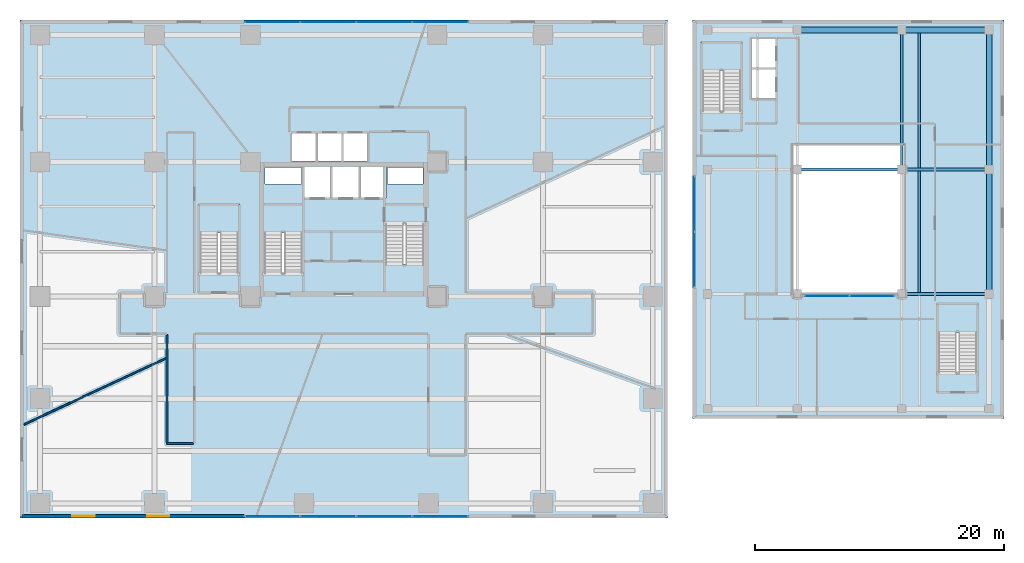
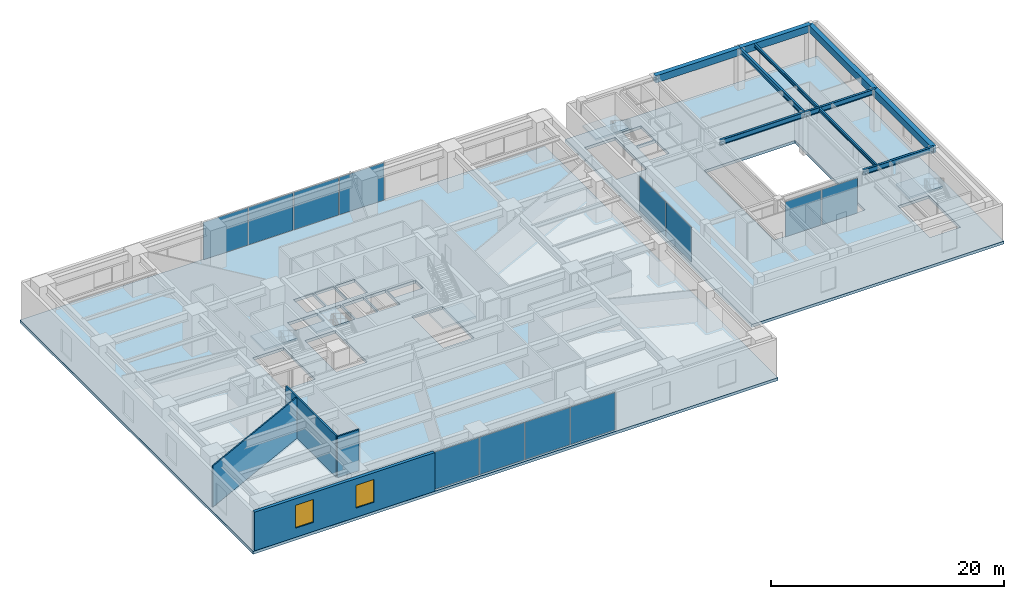
# One storey, part 16 of 25: 12 plates, 10 beams, 7 slabs, 4 walls, 2 windows, 2 openings, 9 elements without a shape of their own.
"""IFC4 building model written with IfcOpenShell, lengths in metres."""

from ifc_helpers import new_model, si_unit, direction, frame, frame_2d, origin, origin_2d, place, context, subcontext, project, spatial, polyline, rectangle, i_section, outline, extrude, source, transform, mapped, material, layer, layer_set, material_profile, profile_set, type_object, type_shapes, element, fill, aggregate, save


model = new_model("IFC4")

# Units and contexts
model_context = context("Model", 3, precision=1e-05, world=origin(), true_north=direction((0.0, 1.0)))
body_context = subcontext(model_context, "Body", "Model", "MODEL_VIEW")
ifc_project = project(units=[si_unit("LENGTHUNIT", "METRE"), si_unit("AREAUNIT", "SQUARE_METRE"), si_unit("VOLUMEUNIT", "CUBIC_METRE"), si_unit("PLANEANGLEUNIT", "RADIAN"), si_unit("MASSUNIT", "GRAM", prefix="KILO")], contexts=[model_context])

# Site, building, storey
site_placement = place(None, origin())
site = spatial("IfcSite", under=ifc_project, at=site_placement, CompositionType="ELEMENT")
building_placement = place(site_placement, origin())
building = spatial("IfcBuilding", under=site, at=building_placement, Name="Talar Marvaseh", CompositionType="ELEMENT")
storey_placement = place(building_placement, frame((0.0, 0.0, 5.199951171875)))
storey = spatial("IfcBuildingStorey", under=building, at=storey_placement, Name="L01", CompositionType="ELEMENT", Elevation=5.199951171875)

# Beams
ifc_material_1 = material(Name="Concrete C40/50", Category="concrete")
ifc_material_profile_1 = material_profile(ifc_material_1, rectangle(XDim=0.449951171875, YDim=0.75, at=origin_2d()), Name="RC450x750")
ifc_profile_set_1 = profile_set([ifc_material_profile_1], Name="Concrete C40/50")
beam_type_1 = type_object("IfcBeamType", Name="Market Concrete Edge Beam RC450x750", PredefinedType="SPANDREL", material=ifc_profile_set_1)
beam_1_placement = place(storey_placement, frame((62.39990234375, 47.199951171875, 3.925048828125), z_axis=(1.0, 0.0, 0.0), x_axis=(0.0, 1.0, 0.0)))
element("IfcBeam", 1, at=beam_1_placement, inside=storey, type_object=beam_type_1, Name="L01 Market Concrete Edge Beam RC450x750", PredefinedType="SPANDREL", context=body_context, shape_type="SweptSolid", body=[
    extrude(rectangle(XDim=0.449951171875, YDim=0.75, at=origin_2d()), origin(), (0.0, 0.0, 1.0), 8.400146484375),
])
beam_2_placement = place(storey_placement, frame((70.800048828125, 47.199951171875, 3.925048828125), z_axis=(1.0, 0.0, 0.0), x_axis=(0.0, 1.0, 0.0)))
element("IfcBeam", 2, at=beam_2_placement, inside=storey, type_object=beam_type_1, Name="L01 Market Concrete Edge Beam RC450x750", PredefinedType="SPANDREL", context=body_context, shape_type="SweptSolid", body=[
    extrude(rectangle(XDim=0.449951171875, YDim=0.75, at=origin_2d()), origin(), (0.0, 0.0, 1.0), 7.0),
])
beam_3_placement = place(storey_placement, frame((77.800048828125, 26.0, 3.925048828125), z_axis=(0.0, 1.0, 0.0), x_axis=(-1.0, 0.0, 0.0)))
element("IfcBeam", 3, at=beam_3_placement, inside=storey, type_object=beam_type_1, Name="L01 Market Concrete Edge Beam RC450x750", PredefinedType="SPANDREL", context=body_context, shape_type="SweptSolid", body=[
    extrude(rectangle(XDim=0.449951171875, YDim=0.75, at=origin_2d()), origin(), (0.0, 0.0, 1.0), 10.0),
])
beam_4_placement = place(storey_placement, frame((77.800048828125, 36.0, 3.925048828125), z_axis=(0.0, 1.0, 0.0), x_axis=(-1.0, 0.0, 0.0)))
element("IfcBeam", 4, at=beam_4_placement, inside=storey, type_object=beam_type_1, Name="L01 Market Concrete Edge Beam RC450x750", PredefinedType="SPANDREL", context=body_context, shape_type="SweptSolid", body=[
    extrude(rectangle(XDim=0.449951171875, YDim=0.75, at=origin_2d()), origin(), (0.0, 0.0, 1.0), 11.199951171875),
])
ifc_material_2 = material(Name="Steel S355", Category="steel")
ifc_material_profile_2 = material_profile(ifc_material_2, i_section(OverallWidth=0.2119140625, OverallDepth=0.5439453125, WebThickness=0.01318359375, FlangeThickness=0.021240234375, at=origin_2d()), Name="W530x123")
ifc_profile_set_2 = profile_set([ifc_material_profile_2], Name="Steel S355")
beam_type_2 = type_object("IfcBeamType", Name="Market Hall Primary Girder W530x123", PredefinedType="BEAM", material=ifc_profile_set_2)
beam_5_placement = place(storey_placement, frame((70.800048828125, 26.0, 4.028076171875), z_axis=(1.0, 0.0, 0.0), x_axis=(0.0, 1.0, 0.0)))
element("IfcBeam", 5, at=beam_5_placement, inside=storey, type_object=beam_type_2, Name="L01 Market Hall Primary Girder W530x123", PredefinedType="BEAM", context=body_context, shape_type="SweptSolid", body=[
    extrude(i_section(OverallWidth=0.2119140625, OverallDepth=0.5439453125, WebThickness=0.01318359375, FlangeThickness=0.021240234375, at=origin_2d()), origin(), (0.0, 0.0, 1.0), 7.0),
])
beam_6_placement = place(storey_placement, frame((62.39990234375, 36.0, 4.028076171875), z_axis=(1.0, 0.0, 0.0), x_axis=(0.0, 1.0, 0.0)))
element("IfcBeam", 6, at=beam_6_placement, inside=storey, type_object=beam_type_2, Name="L01 Market Hall Primary Girder W530x123", PredefinedType="BEAM", context=body_context, shape_type="SweptSolid", body=[
    extrude(i_section(OverallWidth=0.2119140625, OverallDepth=0.5439453125, WebThickness=0.01318359375, FlangeThickness=0.021240234375, at=origin_2d()), origin(), (0.0, 0.0, 1.0), 8.400146484375),
])
beam_7_placement = place(storey_placement, frame((70.800048828125, 36.0, 4.028076171875), z_axis=(1.0, 0.0, 0.0), x_axis=(0.0, 1.0, 0.0)))
element("IfcBeam", 7, at=beam_7_placement, inside=storey, type_object=beam_type_2, Name="L01 Market Hall Primary Girder W530x123", PredefinedType="BEAM", context=body_context, shape_type="SweptSolid", body=[
    extrude(i_section(OverallWidth=0.2119140625, OverallDepth=0.5439453125, WebThickness=0.01318359375, FlangeThickness=0.021240234375, at=origin_2d()), origin(), (0.0, 0.0, 1.0), 7.0),
])
beam_8_placement = place(storey_placement, frame((70.800048828125, 36.0, 4.028076171875), z_axis=(0.0, 1.0, 0.0), x_axis=(-1.0, 0.0, 0.0)))
element("IfcBeam", 8, at=beam_8_placement, inside=storey, type_object=beam_type_2, Name="L01 Market Hall Primary Girder W530x123", PredefinedType="BEAM", context=body_context, shape_type="SweptSolid", body=[
    extrude(i_section(OverallWidth=0.2119140625, OverallDepth=0.5439453125, WebThickness=0.01318359375, FlangeThickness=0.021240234375, at=origin_2d()), origin(), (0.0, 0.0, 1.0), 11.199951171875),
])
ifc_material_profile_3 = material_profile(ifc_material_2, i_section(OverallWidth=0.172119140625, OverallDepth=0.35791015625, WebThickness=0.0078125, FlangeThickness=0.01318359375, at=origin_2d()), Name="W360x57")
ifc_profile_set_3 = profile_set([ifc_material_profile_3], Name="Steel S355")
beam_type_3 = type_object("IfcBeamType", Name="Zone 2 Secondary Floor Joist W360x57", PredefinedType="JOIST", material=ifc_profile_set_3)
beam_9_placement = place(storey_placement, frame((72.199951171875, 26.10498046875, 4.12109375), z_axis=(0.0, 1.0, 0.0), x_axis=(-1.0, 0.0, 0.0)))
element("IfcBeam", 9, at=beam_9_placement, inside=storey, type_object=beam_type_3, Name="L01 Zone 2 Secondary Floor Joist W360x57", PredefinedType="JOIST", context=body_context, shape_type="SweptSolid", body=[
    extrude(i_section(OverallWidth=0.172119140625, OverallDepth=0.35791015625, WebThickness=0.0078125, FlangeThickness=0.01318359375, at=origin_2d()), origin(), (0.0, 0.0, 1.0), 9.7900390625),
])
beam_10_placement = place(storey_placement, frame((72.199951171875, 36.10498046875, 4.12109375), z_axis=(0.0, 1.0, 0.0), x_axis=(-1.0, 0.0, 0.0)))
element("IfcBeam", 10, at=beam_10_placement, inside=storey, type_object=beam_type_3, Name="L01 Zone 2 Secondary Floor Joist W360x57", PredefinedType="JOIST", context=body_context, shape_type="SweptSolid", body=[
    extrude(i_section(OverallWidth=0.172119140625, OverallDepth=0.35791015625, WebThickness=0.0078125, FlangeThickness=0.01318359375, at=origin_2d()), origin(), (0.0, 0.0, 1.0), 10.875),
])

# Stair, slab
stair_type = type_object("IfcStairType", Name="Reinforced Concrete Half-Turn Exit Stair Type A", PredefinedType="HALF_TURN_STAIR", material=ifc_material_1)
stair_1_placement = place(storey_placement, origin())
stair_1 = element("IfcStair", 11, at=stair_1_placement, inside=storey, type_object=stair_type, Name="L01 Tower West Core Exit Stair", PredefinedType="HALF_TURN_STAIR")
ifc_layer_1 = layer(ifc_material_1, 0.199951171875)
ifc_layer_set_1 = layer_set([ifc_layer_1], Name="Concrete C40/50")
slab_type_1 = type_object("IfcSlabType", Name="Reinforced Concrete Stair Half-Landing Slab 200", PredefinedType="LANDING", material=ifc_layer_set_1)
slab_1_placement = place(storey_placement, frame((0.0, 0.0, 2.10009765625)))
slab_1 = element("IfcSlab", 12, at=slab_1_placement, type_object=slab_type_1, Name="ST-1 landing 1", PredefinedType="LANDING", context=body_context, shape_type="SweptSolid", body=[
    extrude(outline(polyline([(22.780029296875, 30.889892578125), (22.780029296875, 33.219970703125), (19.47998046875, 33.219970703125), (19.47998046875, 30.889892578125), (22.780029296875, 30.889892578125)])), origin(), (0.0, 0.0, 1.0), 0.199951171875),
])
aggregate(stair_1, [slab_1])

stair_2_placement = place(storey_placement, origin())
stair_2 = element("IfcStair", 13, at=stair_2_placement, inside=storey, type_object=stair_type, Name="L01 Tower East Core Exit Stair", PredefinedType="HALF_TURN_STAIR")
slab_2_placement = place(storey_placement, frame((0.0, 0.0, 2.10009765625)))
slab_2 = element("IfcSlab", 14, at=slab_2_placement, type_object=slab_type_1, Name="ST-2 landing 1", PredefinedType="LANDING", context=body_context, shape_type="SweptSolid", body=[
    extrude(outline(polyline([(29.219970703125, 28.409912109375), (29.219970703125, 26.080078125), (32.52001953125, 26.080078125), (32.52001953125, 28.409912109375), (29.219970703125, 28.409912109375)])), origin(), (0.0, 0.0, 1.0), 0.199951171875),
])
aggregate(stair_2, [slab_2])

stair_3_placement = place(storey_placement, origin())
stair_3 = element("IfcStair", 15, at=stair_3_placement, inside=storey, type_object=stair_type, Name="L01 Museum & Podium Auxiliary Exit Stair", PredefinedType="HALF_TURN_STAIR")
slab_3_placement = place(storey_placement, frame((0.0, 0.0, 2.10009765625)))
slab_3 = element("IfcSlab", 16, at=slab_3_placement, type_object=slab_type_1, Name="ST-3 landing 1", PredefinedType="LANDING", context=body_context, shape_type="SweptSolid", body=[
    extrude(outline(polyline([(17.6201171875, 30.889892578125), (17.6201171875, 33.219970703125), (14.320068359375, 33.219970703125), (14.320068359375, 30.889892578125), (17.6201171875, 30.889892578125)])), origin(), (0.0, 0.0, 1.0), 0.199951171875),
])
aggregate(stair_3, [slab_3])

stair_4_placement = place(storey_placement, origin())
stair_4 = element("IfcStair", 17, at=stair_4_placement, inside=storey, type_object=stair_type, Name="L01 Market Hall North-West Exit Stair", PredefinedType="HALF_TURN_STAIR")
slab_4_placement = place(storey_placement, frame((0.0, 0.0, 2.10009765625)))
slab_4 = element("IfcSlab", 18, at=slab_4_placement, type_object=slab_type_1, Name="MH-ST1 landing 1", PredefinedType="LANDING", context=body_context, shape_type="SweptSolid", body=[
    extrude(outline(polyline([(57.97998046875, 43.889892578125), (57.97998046875, 46.219970703125), (54.679931640625, 46.219970703125), (54.679931640625, 43.889892578125), (57.97998046875, 43.889892578125)])), origin(), (0.0, 0.0, 1.0), 0.199951171875),
])
aggregate(stair_4, [slab_4])

stair_5_placement = place(storey_placement, origin())
stair_5 = element("IfcStair", 19, at=stair_5_placement, inside=storey, type_object=stair_type, Name="L01 Market Hall South-East Exit Stair", PredefinedType="HALF_TURN_STAIR")
slab_5_placement = place(storey_placement, frame((0.0, 0.0, 2.10009765625)))
slab_5 = element("IfcSlab", 20, at=slab_5_placement, type_object=slab_type_1, Name="MH-ST2 landing 1", PredefinedType="LANDING", context=body_context, shape_type="SweptSolid", body=[
    extrude(outline(polyline([(76.919921875, 22.889892578125), (76.919921875, 25.219970703125), (73.6201171875, 25.219970703125), (73.6201171875, 22.889892578125), (76.919921875, 22.889892578125)])), origin(), (0.0, 0.0, 1.0), 0.199951171875),
])
aggregate(stair_5, [slab_5])

# Slabs
ifc_material_3 = material(Name="Concrete C50/60", Category="concrete")
ifc_layer_2 = layer(ifc_material_3, 0.300048828125)
ifc_layer_set_2 = layer_set([ifc_layer_2], Name="Concrete C50/60")
slab_type_2 = type_object("IfcSlabType", Name="Structural Suspended Floor Slab 300", PredefinedType="FLOOR", material=ifc_layer_set_2)
slab_6_placement = place(storey_placement, frame((0.0, 0.0, -0.300048828125)))
element("IfcSlab", 21, at=slab_6_placement, inside=storey, type_object=slab_type_2, Name="L01 Tower Station Podium Floor Slab", PredefinedType="FLOOR", context=body_context, shape_type="SweptSolid", body=[
    extrude(outline(polyline([(0.0, 8.0), (52.0, 8.0), (52.0, 48.0), (0.0, 48.0), (0.0, 8.0)]), holes=[polyline([(22.659912109375, 27.64990234375), (22.659912109375, 33.10009765625), (19.60009765625, 33.10009765625), (19.60009765625, 27.64990234375), (22.659912109375, 27.64990234375)]), polyline([(29.340087890625, 31.64990234375), (29.340087890625, 26.199951171875), (32.39990234375, 26.199951171875), (32.39990234375, 31.64990234375), (29.340087890625, 31.64990234375)]), polyline([(17.5, 27.64990234375), (17.5, 33.10009765625), (14.43994140625, 33.10009765625), (14.43994140625, 27.64990234375), (17.5, 27.64990234375)]), polyline([(22.800048828125, 33.719970703125), (24.93994140625, 33.719970703125), (24.93994140625, 36.179931640625), (22.800048828125, 36.179931640625), (22.800048828125, 33.719970703125)]), polyline([(25.080078125, 33.719970703125), (27.219970703125, 33.719970703125), (27.219970703125, 36.179931640625), (25.080078125, 36.179931640625), (25.080078125, 33.719970703125)]), polyline([(27.360107421875, 33.719970703125), (29.39990234375, 33.719970703125), (29.39990234375, 36.179931640625), (27.360107421875, 36.179931640625), (27.360107421875, 33.719970703125)]), polyline([(21.840087890625, 36.659912109375), (23.760009765625, 36.659912109375), (23.760009765625, 38.8798828125), (21.840087890625, 38.8798828125), (21.840087890625, 36.659912109375)]), polyline([(23.89990234375, 36.659912109375), (25.820068359375, 36.659912109375), (25.820068359375, 38.8798828125), (23.89990234375, 38.8798828125), (23.89990234375, 36.659912109375)]), polyline([(25.9599609375, 36.659912109375), (27.8798828125, 36.659912109375), (27.8798828125, 38.8798828125), (25.9599609375, 38.8798828125), (25.9599609375, 36.659912109375)]), polyline([(19.659912109375, 34.840087890625), (22.60009765625, 34.840087890625), (22.60009765625, 36.139892578125), (19.659912109375, 36.139892578125), (19.659912109375, 34.840087890625)]), polyline([(29.52001953125, 34.840087890625), (32.340087890625, 34.840087890625), (32.340087890625, 36.139892578125), (29.52001953125, 36.139892578125), (29.52001953125, 34.840087890625)])]), origin(), (0.0, 0.0, 1.0), 0.300048828125),
])
slab_7_placement = place(storey_placement, frame((0.0, 0.0, -0.300048828125)))
element("IfcSlab", 22, at=slab_7_placement, inside=storey, type_object=slab_type_2, Name="L01 Market Hall Bazaar Floor Slab", PredefinedType="FLOOR", context=body_context, shape_type="SweptSolid", body=[
    extrude(outline(polyline([(54.0, 16.0), (79.0, 16.0), (79.0, 48.0), (54.0, 48.0), (54.0, 16.0)]), holes=[polyline([(57.860107421875, 40.64990234375), (57.860107421875, 46.10009765625), (54.800048828125, 46.10009765625), (54.800048828125, 40.64990234375), (57.860107421875, 40.64990234375)]), polyline([(76.800048828125, 19.64990234375), (76.800048828125, 25.10009765625), (73.739990234375, 25.10009765625), (73.739990234375, 19.64990234375), (76.800048828125, 19.64990234375)]), polyline([(58.739990234375, 44.179931640625), (60.659912109375, 44.179931640625), (60.659912109375, 46.47998046875), (58.739990234375, 46.47998046875), (58.739990234375, 44.179931640625)]), polyline([(58.739990234375, 41.719970703125), (60.659912109375, 41.719970703125), (60.659912109375, 44.02001953125), (58.739990234375, 44.02001953125), (58.739990234375, 41.719970703125)]), polyline([(62.0, 26.0), (71.0, 26.0), (71.0, 38.0), (62.0, 38.0), (62.0, 26.0)])]), origin(), (0.0, 0.0, 1.0), 0.300048828125),
])

# Curtain wall, plates
ifc_material_4 = material(Name="Architectural Aluminium", Category="aluminium")
ifc_layer_3 = layer(ifc_material_4, 0.25)
ifc_layer_set_3 = layer_set([ifc_layer_3], Name="Architectural Aluminium")
curtain_wall_type_1 = type_object("IfcCurtainWallType", Name="Station Podium Monumental Iwan Curtain Wall", PredefinedType="NOTDEFINED", material=ifc_layer_set_3)
curtain_wall_1_placement = place(storey_placement, origin())
curtain_wall_1 = element("IfcCurtainWall", 23, at=curtain_wall_1_placement, inside=storey, type_object=curtain_wall_type_1, Name="L01 Station Podium Monumental Iwan Curtain Wall", PredefinedType="NOTDEFINED")
ifc_material_5 = material(Name="Laminated Low-E Solar Glass", Category="glass")
ifc_layer_4 = layer(ifc_material_5, 0.028076171875)
ifc_layer_set_4 = layer_set([ifc_layer_4], Name="Laminated Low-E Solar Glass")
plate_type = type_object("IfcPlateType", Name="Double-Glazed Low-E Vision Curtain Panel 28", PredefinedType="CURTAIN_PANEL", material=ifc_layer_set_4)
shared_shape_1 = source(origin(), body_context, "Body", "SweptSolid", [
    extrude(rectangle(XDim=4.402587890625, YDim=0.028076171875, at=origin_2d()), origin(), (0.0, 0.0, 1.0), 3.919921875),
])
plate_1_placement = place(storey_placement, frame((33.733642578125, 8.159912109375, 0.065185546875), z_axis=(0.0, 0.0, 1.0), x_axis=(-1.0, 0.0, 0.0)))
plate_1 = element("IfcPlate", 24, at=plate_1_placement, type_object=plate_type, Name="CW-POD panel 1.1", PredefinedType="CURTAIN_PANEL", context=body_context, shape_type="MappedRepresentation", body=[
    mapped(shared_shape_1, transform((0.0, 0.0, 0.0), x_axis=(1.0, 0.0, 0.0), y_axis=(0.0, 1.0, 0.0), z_axis=(0.0, 0.0, 1.0), scale=1.0)),
])
plate_2_placement = place(storey_placement, frame((20.266357421875, 8.159912109375, 0.065185546875), z_axis=(0.0, 0.0, 1.0), x_axis=(-1.0, 0.0, 0.0)))
plate_2 = element("IfcPlate", 25, at=plate_2_placement, type_object=plate_type, Name="CW-POD panel 4.1", PredefinedType="CURTAIN_PANEL", context=body_context, shape_type="MappedRepresentation", body=[
    mapped(shared_shape_1, transform((0.0, 0.0, 0.0), x_axis=(1.0, 0.0, 0.0), y_axis=(0.0, 1.0, 0.0), z_axis=(0.0, 0.0, 1.0), scale=1.0)),
])

curtain_wall_2_placement = place(storey_placement, origin())
curtain_wall_2 = element("IfcCurtainWall", 26, at=curtain_wall_2_placement, inside=storey, type_object=curtain_wall_type_1, Name="L01 Station Podium Monumental Iwan Curtain Wall", PredefinedType="NOTDEFINED")
plate_3_placement = place(storey_placement, frame((20.266357421875, 47.840087890625, 0.065185546875), z_axis=(0.0, 0.0, 1.0), x_axis=(1.0, 0.0, 0.0)))
plate_3 = element("IfcPlate", 27, at=plate_3_placement, type_object=plate_type, Name="CW-POD panel 1.1", PredefinedType="CURTAIN_PANEL", context=body_context, shape_type="MappedRepresentation", body=[
    mapped(shared_shape_1, transform((0.0, 0.0, 0.0), x_axis=(1.0, 0.0, 0.0), y_axis=(0.0, 1.0, 0.0), z_axis=(0.0, 0.0, 1.0), scale=1.0)),
])
plate_4_placement = place(storey_placement, frame((33.733642578125, 47.840087890625, 0.065185546875), z_axis=(0.0, 0.0, 1.0), x_axis=(1.0, 0.0, 0.0)))
plate_4 = element("IfcPlate", 28, at=plate_4_placement, type_object=plate_type, Name="CW-POD panel 4.1", PredefinedType="CURTAIN_PANEL", context=body_context, shape_type="MappedRepresentation", body=[
    mapped(shared_shape_1, transform((0.0, 0.0, 0.0), x_axis=(1.0, 0.0, 0.0), y_axis=(0.0, 1.0, 0.0), z_axis=(0.0, 0.0, 1.0), scale=1.0)),
])

# Plate
shared_shape_2 = source(origin(), body_context, "Body", "SweptSolid", [
    extrude(rectangle(XDim=4.43505859375, YDim=0.028076171875, at=origin_2d()), origin(), (0.0, 0.0, 1.0), 3.919921875),
])
plate_5_placement = place(storey_placement, frame((29.25, 8.159912109375, 0.065185546875), z_axis=(0.0, 0.0, 1.0), x_axis=(-1.0, 0.0, 0.0)))
plate_5 = element("IfcPlate", 29, at=plate_5_placement, type_object=plate_type, Name="CW-POD panel 2.1", PredefinedType="CURTAIN_PANEL", context=body_context, shape_type="MappedRepresentation", body=[
    mapped(shared_shape_2, transform((0.0, 0.0, 0.0), x_axis=(1.0, 0.0, 0.0), y_axis=(0.0, 1.0, 0.0), z_axis=(0.0, 0.0, 1.0), scale=1.0)),
])

plate_6_placement = place(storey_placement, frame((24.75, 8.159912109375, 0.065185546875), z_axis=(0.0, 0.0, 1.0), x_axis=(-1.0, 0.0, 0.0)))
plate_6 = element("IfcPlate", 30, at=plate_6_placement, type_object=plate_type, Name="CW-POD panel 3.1", PredefinedType="CURTAIN_PANEL", context=body_context, shape_type="MappedRepresentation", body=[
    mapped(shared_shape_2, transform((0.0, 0.0, 0.0), x_axis=(1.0, 0.0, 0.0), y_axis=(0.0, 1.0, 0.0), z_axis=(0.0, 0.0, 1.0), scale=1.0)),
])

aggregate(curtain_wall_1, [plate_1, plate_5, plate_6, plate_2])

plate_7_placement = place(storey_placement, frame((24.75, 47.840087890625, 0.065185546875), z_axis=(0.0, 0.0, 1.0), x_axis=(1.0, 0.0, 0.0)))
plate_7 = element("IfcPlate", 31, at=plate_7_placement, type_object=plate_type, Name="CW-POD panel 2.1", PredefinedType="CURTAIN_PANEL", context=body_context, shape_type="MappedRepresentation", body=[
    mapped(shared_shape_2, transform((0.0, 0.0, 0.0), x_axis=(1.0, 0.0, 0.0), y_axis=(0.0, 1.0, 0.0), z_axis=(0.0, 0.0, 1.0), scale=1.0)),
])

plate_8_placement = place(storey_placement, frame((29.25, 47.840087890625, 0.065185546875), z_axis=(0.0, 0.0, 1.0), x_axis=(1.0, 0.0, 0.0)))
plate_8 = element("IfcPlate", 32, at=plate_8_placement, type_object=plate_type, Name="CW-POD panel 3.1", PredefinedType="CURTAIN_PANEL", context=body_context, shape_type="MappedRepresentation", body=[
    mapped(shared_shape_2, transform((0.0, 0.0, 0.0), x_axis=(1.0, 0.0, 0.0), y_axis=(0.0, 1.0, 0.0), z_axis=(0.0, 0.0, 1.0), scale=1.0)),
])

aggregate(curtain_wall_2, [plate_3, plate_7, plate_8, plate_4])

# Curtain wall, plates
ifc_layer_5 = layer(ifc_material_4, 0.169921875)
ifc_layer_set_5 = layer_set([ifc_layer_5], Name="Architectural Aluminium")
curtain_wall_type_2 = type_object("IfcCurtainWallType", Name="Market Hall Clerestory and Courtyard Curtain Wall", PredefinedType="NOTDEFINED", material=ifc_layer_set_5)
curtain_wall_3_placement = place(storey_placement, origin())
curtain_wall_3 = element("IfcCurtainWall", 33, at=curtain_wall_3_placement, inside=storey, type_object=curtain_wall_type_2, Name="L01 Market Hall Clerestory and Courtyard Curtain Wall", PredefinedType="NOTDEFINED")
shared_shape_3 = source(origin(), body_context, "Body", "SweptSolid", [
    extrude(rectangle(XDim=4.402587890625, YDim=0.028076171875, at=origin_2d()), origin(), (0.0, 0.0, 1.0), 3.669921875),
])
plate_9_placement = place(storey_placement, frame((54.14990234375, 28.766357421875, 0.065185546875), z_axis=(0.0, 0.0, 1.0), x_axis=(0.0, 1.0, 0.0)))
plate_9 = element("IfcPlate", 34, at=plate_9_placement, type_object=plate_type, Name="CW-MKT panel 1.1", PredefinedType="CURTAIN_PANEL", context=body_context, shape_type="MappedRepresentation", body=[
    mapped(shared_shape_3, transform((0.0, 0.0, 0.0), x_axis=(1.0, 0.0, 0.0), y_axis=(0.0, 1.0, 0.0), z_axis=(0.0, 0.0, 1.0), scale=1.0)),
])
plate_10_placement = place(storey_placement, frame((54.14990234375, 33.233642578125, 0.065185546875), z_axis=(0.0, 0.0, 1.0), x_axis=(0.0, 1.0, 0.0)))
plate_10 = element("IfcPlate", 35, at=plate_10_placement, type_object=plate_type, Name="CW-MKT panel 2.1", PredefinedType="CURTAIN_PANEL", context=body_context, shape_type="MappedRepresentation", body=[
    mapped(shared_shape_3, transform((0.0, 0.0, 0.0), x_axis=(1.0, 0.0, 0.0), y_axis=(0.0, 1.0, 0.0), z_axis=(0.0, 0.0, 1.0), scale=1.0)),
])
aggregate(curtain_wall_3, [plate_9, plate_10])

curtain_wall_4_placement = place(storey_placement, origin())
curtain_wall_4 = element("IfcCurtainWall", 36, at=curtain_wall_4_placement, inside=storey, type_object=curtain_wall_type_2, Name="L01 Market Hall Clerestory and Courtyard Curtain Wall", PredefinedType="NOTDEFINED")
shared_shape_4 = source(origin(), body_context, "Body", "SweptSolid", [
    extrude(rectangle(XDim=3.552490234375, YDim=0.028076171875, at=origin_2d()), origin(), (0.0, 0.0, 1.0), 3.669921875),
])
type_shapes(plate_type, [shared_shape_1, shared_shape_2, shared_shape_3, shared_shape_4])
plate_11_placement = place(storey_placement, frame((64.791259765625, 25.85009765625, 0.065185546875), z_axis=(0.0, 0.0, 1.0), x_axis=(1.0, 0.0, 0.0)))
plate_11 = element("IfcPlate", 37, at=plate_11_placement, type_object=plate_type, Name="CW-MKT panel 1.1", PredefinedType="CURTAIN_PANEL", context=body_context, shape_type="MappedRepresentation", body=[
    mapped(shared_shape_4, transform((0.0, 0.0, 0.0), x_axis=(1.0, 0.0, 0.0), y_axis=(0.0, 1.0, 0.0), z_axis=(0.0, 0.0, 1.0), scale=1.0)),
])
plate_12_placement = place(storey_placement, frame((68.40869140625, 25.85009765625, 0.065185546875), z_axis=(0.0, 0.0, 1.0), x_axis=(1.0, 0.0, 0.0)))
plate_12 = element("IfcPlate", 38, at=plate_12_placement, type_object=plate_type, Name="CW-MKT panel 2.1", PredefinedType="CURTAIN_PANEL", context=body_context, shape_type="MappedRepresentation", body=[
    mapped(shared_shape_4, transform((0.0, 0.0, 0.0), x_axis=(1.0, 0.0, 0.0), y_axis=(0.0, 1.0, 0.0), z_axis=(0.0, 0.0, 1.0), scale=1.0)),
])
aggregate(curtain_wall_4, [plate_11, plate_12])

# Wall, openings, windows
ifc_material_6 = material(Name="Precast concrete C45/55", Category="concrete")
ifc_layer_6 = layer(ifc_material_6, 0.31005859375)
ifc_layer_set_6 = layer_set([ifc_layer_6], Name="Precast concrete C45/55")
wall_type_1 = type_object("IfcWallType", Name="Architectural Precast Limestone Podium Facade Wall 310", PredefinedType="SOLIDWALL", material=ifc_layer_set_6)
wall_1_placement = place(storey_placement, frame((18.0, 8.159912109375, 0.0), z_axis=(0.0, 0.0, 1.0), x_axis=(-1.0, 0.0, 0.0)))
wall_1 = element("IfcWall", 39, at=wall_1_placement, inside=storey, type_object=wall_type_1, Name="L01 Podium South-West Facade Wall", PredefinedType="SOLIDWALL", context=body_context, shape_type="SweptSolid", body=[
    extrude(rectangle(XDim=17.840087890625, YDim=0.31005859375, at=frame_2d((8.919921875, 0.0))), origin(), (0.0, 0.0, 1.0), 4.050048828125),
])
opening_1_placement = place(wall_1_placement, frame((6.0, 0.0, 0.949951171875)))
opening_1 = element("IfcOpeningElement", 40, at=opening_1_placement, cuts=wall_1, Name="Opening WN-POD18", PredefinedType="OPENING", context=body_context, shape_type="SweptSolid", body=[
    extrude(rectangle(XDim=1.800048828125, YDim=2.39990234375, at=frame_2d((0.89990234375, 1.199951171875))), frame((0.0, 0.1650390625, 0.0), z_axis=(0.0, -1.0, 0.0), x_axis=(1.0, 0.0, 0.0)), (0.0, 0.0, 1.0), 0.330078125),
])
opening_2_placement = place(wall_1_placement, frame((12.0, 0.0, 0.949951171875)))
opening_2 = element("IfcOpeningElement", 41, at=opening_2_placement, cuts=wall_1, Name="Opening WN-POD18", PredefinedType="OPENING", context=body_context, shape_type="SweptSolid", body=[
    extrude(rectangle(XDim=1.800048828125, YDim=2.39990234375, at=frame_2d((0.89990234375, 1.199951171875))), frame((0.0, 0.1650390625, 0.0), z_axis=(0.0, -1.0, 0.0), x_axis=(1.0, 0.0, 0.0)), (0.0, 0.0, 1.0), 0.330078125),
])
window_type = type_object("IfcWindowType", Name="Podium Recessed Punched Solar Window 1800x2400", PartitioningType="SINGLE_PANEL", PredefinedType="WINDOW", material=ifc_material_5)
shared_shape_5 = source(origin(), body_context, "Body", "SweptSolid", [
    extrude(rectangle(XDim=1.800048828125, YDim=2.39990234375, at=frame_2d((0.89990234375, 1.199951171875))), frame((0.0, 0.030029296875, 0.0), z_axis=(0.0, -1.0, 0.0), x_axis=(1.0, 0.0, 0.0)), (0.0, 0.0, 1.0), 0.06005859375),
])
type_shapes(window_type, [shared_shape_5])
window_1_placement = place(opening_1_placement, origin())
window_1 = element("IfcWindow", 42, at=window_1_placement, inside=storey, type_object=window_type, Name="L01 Podium Solar Window", OverallHeight=2.39990234375, OverallWidth=1.800048828125, PartitioningType="SINGLE_PANEL", PredefinedType="WINDOW", context=body_context, shape_type="MappedRepresentation", body=[
    mapped(shared_shape_5, transform((0.0, 0.0, 0.0), x_axis=(1.0, 0.0, 0.0), y_axis=(0.0, 1.0, 0.0), z_axis=(0.0, 0.0, 1.0), scale=1.0)),
])
fill(opening_1, window_1)
window_2_placement = place(opening_2_placement, origin())
window_2 = element("IfcWindow", 43, at=window_2_placement, inside=storey, type_object=window_type, Name="L01 Podium Solar Window", OverallHeight=2.39990234375, OverallWidth=1.800048828125, PartitioningType="SINGLE_PANEL", PredefinedType="WINDOW", context=body_context, shape_type="MappedRepresentation", body=[
    mapped(shared_shape_5, transform((0.0, 0.0, 0.0), x_axis=(1.0, 0.0, 0.0), y_axis=(0.0, 1.0, 0.0), z_axis=(0.0, 0.0, 1.0), scale=1.0)),
])
fill(opening_2, window_2)

# Walls
ifc_material_7 = material(Name="Gypsum Board Partition Assembly")
ifc_layer_7 = layer(ifc_material_7, 0.155029296875)
ifc_layer_set_7 = layer_set([ifc_layer_7], Name="Gypsum Board Partition Assembly")
wall_type_2 = type_object("IfcWallType", Name="Corridor Fire-Rated Acoustic Partition 155", PredefinedType="PARTITIONING", material=ifc_layer_set_7)
wall_2_placement = place(storey_placement, frame((13.91650390625, 14.0, 0.0), z_axis=(0.0, 0.0, 1.0), x_axis=(-1.0, 0.0, 0.0)))
element("IfcWall", 44, at=wall_2_placement, inside=storey, type_object=wall_type_2, Name="L01 Interior Partition Wall", PredefinedType="PARTITIONING", context=body_context, shape_type="SweptSolid", body=[
    extrude(rectangle(XDim=2.116455078125, YDim=0.155029296875, at=frame_2d((1.05810546875, 0.0))), origin(), (0.0, 0.0, 1.0), 4.300048828125),
])
wall_3_placement = place(storey_placement, frame((11.800048828125, 14.08349609375, 0.0), z_axis=(0.0, 0.0, 1.0), x_axis=(0.0, 1.0, 0.0)))
element("IfcWall", 45, at=wall_3_placement, inside=storey, type_object=wall_type_2, Name="L01 Interior Partition Wall", PredefinedType="PARTITIONING", context=body_context, shape_type="SweptSolid", body=[
    extrude(rectangle(XDim=8.633056640625, YDim=0.155029296875, at=frame_2d((4.31640625, 0.0))), origin(), (0.0, 0.0, 1.0), 4.300048828125),
])
ifc_layer_8 = layer(ifc_material_7, 0.1201171875)
ifc_layer_set_8 = layer_set([ifc_layer_8], Name="Gypsum Board Partition Assembly")
wall_type_3 = type_object("IfcWallType", Name="Demountable Studio Room Partition 120", PredefinedType="PARTITIONING", material=ifc_layer_set_8)
wall_4_placement = place(storey_placement, frame((11.716552734375, 20.841064453125, 0.0), z_axis=(0.0, 0.0, 1.0), x_axis=(-0.906243586835, -0.422755912225, 0.0)))
element("IfcWall", 46, at=wall_4_placement, inside=storey, type_object=wall_type_3, Name="L01 Interior Partition Wall", PredefinedType="PARTITIONING", context=body_context, shape_type="SweptSolid", body=[
    extrude(rectangle(XDim=12.586669921875, YDim=0.1201171875, at=frame_2d((6.29345703125, 0.0))), origin(), (0.0, 0.0, 1.0), 4.300048828125),
])

save(model, "model.ifc")
